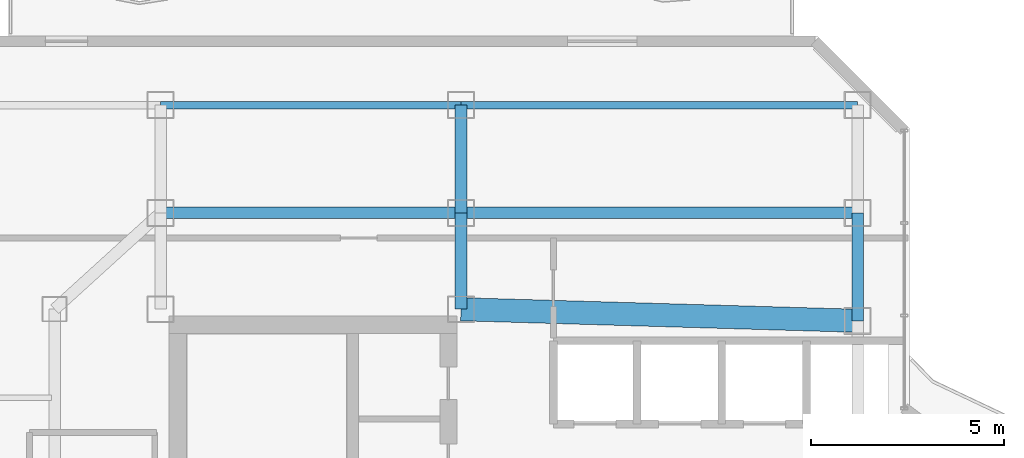
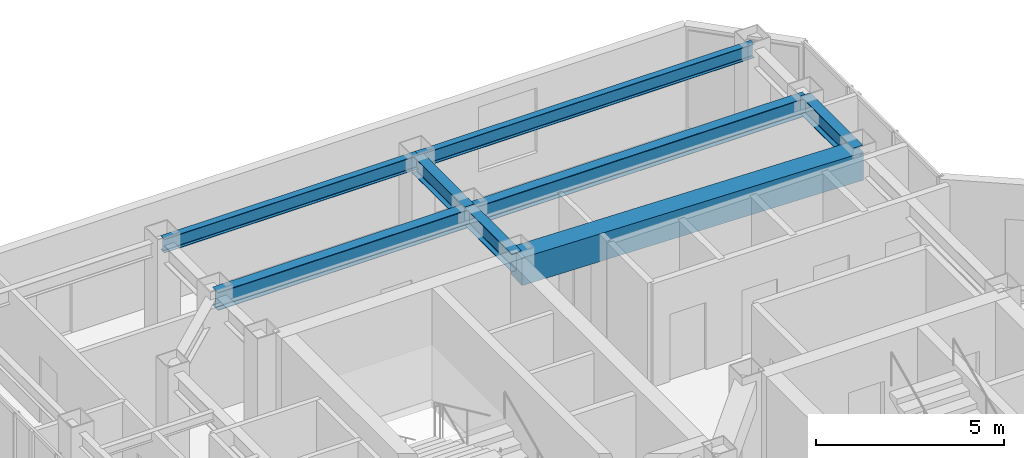
# One storey, part 16 of 26: 8 beams.
"""IFC4 building model written with IfcOpenShell, lengths in metres."""

from ifc_helpers import new_model, si_unit, direction, frame, origin, origin_2d, place, context, subcontext, project, spatial, rectangle, i_section, extrude, material, material_profile, profile_set, type_object, element, save


model = new_model("IFC4")

# Units and contexts
model_context = context("Model", 3, precision=1e-05, world=origin(), true_north=direction((0.0, 1.0)))
body_context = subcontext(model_context, "Body", "Model", "MODEL_VIEW")
ifc_project = project(units=[si_unit("LENGTHUNIT", "METRE"), si_unit("AREAUNIT", "SQUARE_METRE"), si_unit("VOLUMEUNIT", "CUBIC_METRE"), si_unit("PLANEANGLEUNIT", "RADIAN"), si_unit("MASSUNIT", "GRAM", prefix="KILO")], contexts=[model_context])

# Site, building, storey
site_placement = place(None, origin())
site = spatial("IfcSite", under=ifc_project, at=site_placement, CompositionType="ELEMENT")
building_placement = place(site_placement, origin())
building = spatial("IfcBuilding", under=site, at=building_placement, Name="Hatsunagi Terrace Concourse", CompositionType="ELEMENT")
storey_placement = place(building_placement, frame((0.0, 0.0, 227.550048828125)))
storey = spatial("IfcBuildingStorey", under=building, at=storey_placement, Name="L60", CompositionType="ELEMENT", Elevation=227.550048828125)

# Beams
ifc_material_1 = material(Name="Concrete Fc42", Category="concrete")
ifc_material_profile_1 = material_profile(ifc_material_1, rectangle(XDim=0.60009765625, YDim=0.89990234375, at=origin_2d()), Name="RC-600x900")
ifc_profile_set_1 = profile_set([ifc_material_profile_1], Name="Concrete Fc42")
beam_type_1 = type_object("IfcBeamType", Name="CoreCouplingBeam_RC_600x900", PredefinedType="BEAM", material=ifc_profile_set_1)
beam_1_placement = place(storey_placement, frame((33.35009765625, 43.300048828125, 2.89990234375), z_axis=(0.999575947545, -0.029119153303, 0.0), x_axis=(0.029119153303, 0.999575947545, 0.0)))
element("IfcBeam", 1, at=beam_1_placement, inside=storey, type_object=beam_type_1, Name="Beam CB-03 CB-L60-2", PredefinedType="BEAM", context=body_context, shape_type="SweptSolid", body=[
    extrude(rectangle(XDim=0.60009765625, YDim=0.89990234375, at=origin_2d()), origin(), (0.0, 0.0, 1.0), 10.30419921875),
])
ifc_material_2 = material(Name="Steel SN490B", Category="steel")
ifc_material_profile_2 = material_profile(ifc_material_2, i_section(OverallWidth=0.300048828125, OverallDepth=0.587890625, WebThickness=0.011962890625, FlangeThickness=0.02001953125, FilletRadius=0.01806640625, at=origin_2d()), Name="H-588x300x12x20")
ifc_profile_set_2 = profile_set([ifc_material_profile_2], Name="Steel SN490B")
beam_type_2 = type_object("IfcBeamType", Name="OfficeHighGirder_H_588x300", PredefinedType="BEAM", material=ifc_profile_set_2)
beam_2_placement = place(storey_placement, frame((33.35009765625, 43.300048828125, 3.055908203125), z_axis=(0.0, 1.0, 0.0), x_axis=(-1.0, 0.0, 0.0)))
element("IfcBeam", 2, at=beam_2_placement, inside=storey, type_object=beam_type_2, Name="Beam G-06 BM-L60-CN2", PredefinedType="BEAM", context=body_context, shape_type="SweptSolid", body=[
    extrude(i_section(OverallWidth=0.300048828125, OverallDepth=0.587890625, WebThickness=0.011962890625, FlangeThickness=0.02001953125, FilletRadius=0.01806640625, at=origin_2d()), origin(), (0.0, 0.0, 1.0), 2.5),
])
beam_3_placement = place(storey_placement, frame((43.64990234375, 43.0, 3.055908203125), z_axis=(0.0, 1.0, 0.0), x_axis=(-1.0, 0.0, 0.0)))
element("IfcBeam", 3, at=beam_3_placement, inside=storey, type_object=beam_type_2, Name="Beam G-06 BM-L60-CN3", PredefinedType="BEAM", context=body_context, shape_type="SweptSolid", body=[
    extrude(i_section(OverallWidth=0.300048828125, OverallDepth=0.587890625, WebThickness=0.011962890625, FlangeThickness=0.02001953125, FilletRadius=0.01806640625, at=origin_2d()), origin(), (0.0, 0.0, 1.0), 2.800048828125),
])
beam_4_placement = place(storey_placement, frame((25.550048828125, 45.800048828125, 3.055908203125), z_axis=(1.0, 0.0, 0.0), x_axis=(0.0, 1.0, 0.0)))
element("IfcBeam", 4, at=beam_4_placement, inside=storey, type_object=beam_type_2, Name="Beam G-06 BM-L60-CNEW1", PredefinedType="BEAM", context=body_context, shape_type="SweptSolid", body=[
    extrude(i_section(OverallWidth=0.300048828125, OverallDepth=0.587890625, WebThickness=0.011962890625, FlangeThickness=0.02001953125, FilletRadius=0.01806640625, at=origin_2d()), origin(), (0.0, 0.0, 1.0), 7.800048828125),
])
beam_5_placement = place(storey_placement, frame((33.35009765625, 45.800048828125, 3.055908203125), z_axis=(1.0, 0.0, 0.0), x_axis=(0.0, 1.0, 0.0)))
element("IfcBeam", 5, at=beam_5_placement, inside=storey, type_object=beam_type_2, Name="Beam G-06 BM-L60-CNEW2", PredefinedType="BEAM", context=body_context, shape_type="SweptSolid", body=[
    extrude(i_section(OverallWidth=0.300048828125, OverallDepth=0.587890625, WebThickness=0.011962890625, FlangeThickness=0.02001953125, FilletRadius=0.01806640625, at=origin_2d()), origin(), (0.0, 0.0, 1.0), 10.2998046875),
])
beam_6_placement = place(storey_placement, frame((33.35009765625, 45.800048828125, 3.055908203125), z_axis=(0.0, 1.0, 0.0), x_axis=(-1.0, 0.0, 0.0)))
element("IfcBeam", 6, at=beam_6_placement, inside=storey, type_object=beam_type_2, Name="Beam G-06 BM-L60-KN-WN5", PredefinedType="BEAM", context=body_context, shape_type="SweptSolid", body=[
    extrude(i_section(OverallWidth=0.300048828125, OverallDepth=0.587890625, WebThickness=0.011962890625, FlangeThickness=0.02001953125, FilletRadius=0.01806640625, at=origin_2d()), origin(), (0.0, 0.0, 1.0), 2.800048828125),
])
ifc_material_3 = material(Name="Steel SN490B", Category="steel")
ifc_material_profile_3 = material_profile(ifc_material_3, i_section(OverallWidth=0.199951171875, OverallDepth=0.449951171875, WebThickness=0.009033203125, FlangeThickness=0.013916015625, FilletRadius=0.01611328125, at=origin_2d()), Name="H-450x200x9x14")
ifc_profile_set_3 = profile_set([ifc_material_profile_3], Name="Steel SN490B")
beam_type_3 = type_object("IfcBeamType", Name="PerimeterSpandrel_H_450x200", PredefinedType="SPANDREL", material=ifc_profile_set_3)
beam_7_placement = place(storey_placement, frame((25.550048828125, 48.60009765625, 3.125), z_axis=(1.0, 0.0, 0.0), x_axis=(0.0, 1.0, 0.0)))
element("IfcBeam", 7, at=beam_7_placement, inside=storey, type_object=beam_type_3, Name="Beam SP-02 BM-L60-WN-25", PredefinedType="SPANDREL", context=body_context, shape_type="SweptSolid", body=[
    extrude(i_section(OverallWidth=0.199951171875, OverallDepth=0.449951171875, WebThickness=0.009033203125, FlangeThickness=0.013916015625, FilletRadius=0.01611328125, at=origin_2d()), origin(), (0.0, 0.0, 1.0), 7.800048828125),
])
beam_8_placement = place(storey_placement, frame((33.35009765625, 48.60009765625, 3.125), z_axis=(1.0, 0.0, 0.0), x_axis=(0.0, 1.0, 0.0)))
element("IfcBeam", 8, at=beam_8_placement, inside=storey, type_object=beam_type_3, Name="Beam SP-02 BM-L60-WN-33", PredefinedType="SPANDREL", context=body_context, shape_type="SweptSolid", body=[
    extrude(i_section(OverallWidth=0.199951171875, OverallDepth=0.449951171875, WebThickness=0.009033203125, FlangeThickness=0.013916015625, FilletRadius=0.01611328125, at=origin_2d()), origin(), (0.0, 0.0, 1.0), 10.2998046875),
])

save(model, "model.ifc")
